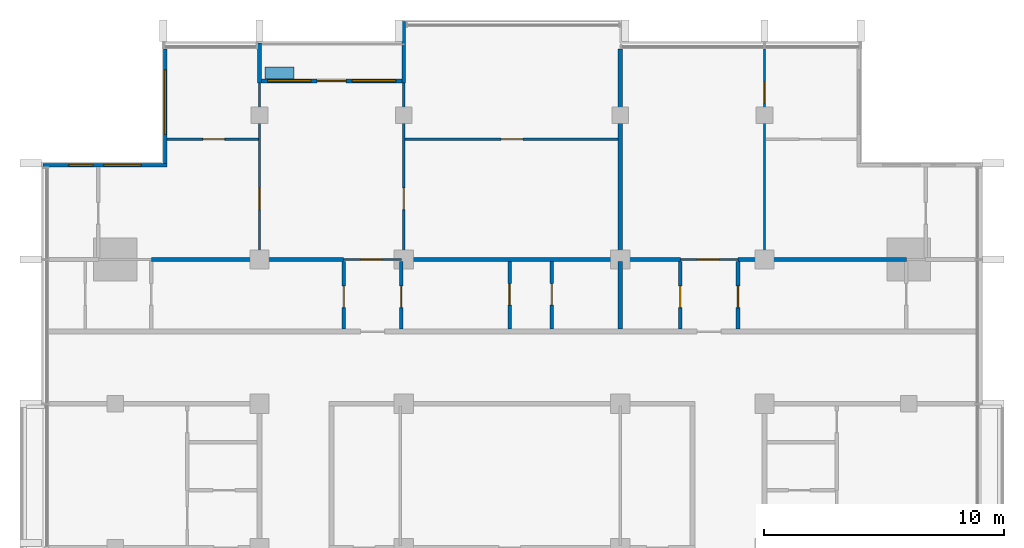
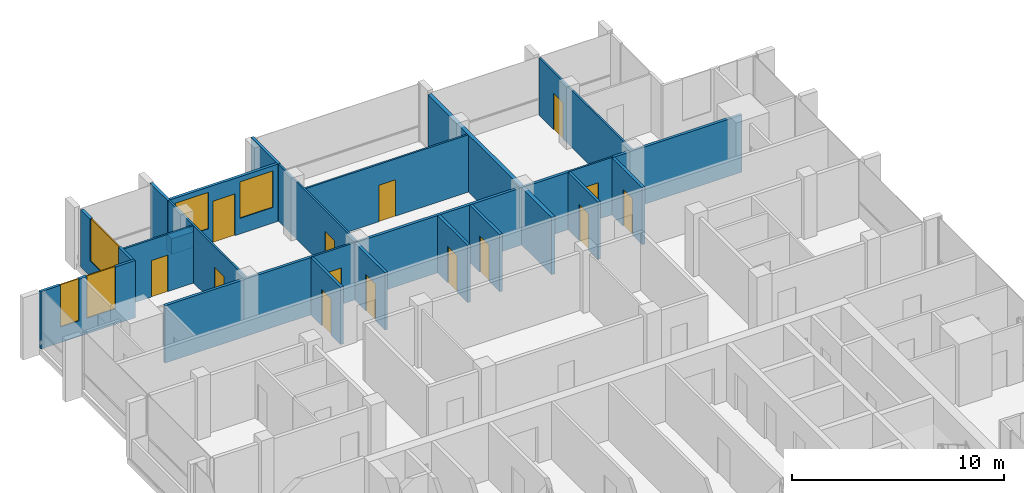
# One storey, part 10 of 16: 24 walls, 14 doors, 5 windows, 19 openings.
"""IFC4 building model written with IfcOpenShell, lengths in metres."""

from ifc_helpers import new_model, si_unit, direction, frame, frame_2d, origin, place, context, subcontext, project, spatial, rectangle, extrude, material, layer, layer_set, type_object, element, fill, save


model = new_model("IFC4")

# Units and contexts
model_context = context("Model", 3, precision=1e-05, world=origin(), true_north=direction((0.0, 1.0)))
body_context = subcontext(model_context, "Body", "Model", "MODEL_VIEW")
ifc_project = project(units=[si_unit("LENGTHUNIT", "METRE"), si_unit("AREAUNIT", "SQUARE_METRE"), si_unit("VOLUMEUNIT", "CUBIC_METRE"), si_unit("PLANEANGLEUNIT", "RADIAN"), si_unit("MASSUNIT", "GRAM", prefix="KILO")], contexts=[model_context])

# Site, building, storey
site_placement = place(None, origin())
site = spatial("IfcSite", under=ifc_project, at=site_placement, CompositionType="ELEMENT")
building_placement = place(site_placement, origin())
building = spatial("IfcBuilding", under=site, at=building_placement, Name="Finial Court Residences", CompositionType="ELEMENT")
storey_placement = place(building_placement, frame((0.0, 0.0, 277.10009765625)))
storey = spatial("IfcBuildingStorey", under=building, at=storey_placement, Name="L70", CompositionType="ELEMENT", Elevation=277.10009765625)

# Walls
ifc_material_1 = material(Name="Gypsum board")
ifc_layer_1 = layer(ifc_material_1, 0.02490234375)
ifc_material_2 = material(Name="Acoustic mineral wool in double frame")
ifc_layer_2 = layer(ifc_material_2, 0.14990234375)
ifc_layer_3 = layer(ifc_material_1, 0.02490234375)
ifc_layer_set_1 = layer_set([ifc_layer_1, ifc_layer_2, ifc_layer_3], Name="Acoustic party wall 200, 1 hour")
wall_type_1 = type_object("IfcWallType", Name="Acoustic party wall 200, 1 hour", PredefinedType="PARTITIONING", material=ifc_layer_set_1)
wall_1_placement = place(storey_placement, frame((4.5, 4.60009765625, 0.0), z_axis=(0.0, 0.0, 1.0), x_axis=(0.0, 1.0, 0.0)))
element("IfcWall", 1, at=wall_1_placement, inside=storey, type_object=wall_type_1, Name="Partition L70-045", PredefinedType="PARTITIONING", context=body_context, shape_type="SweptSolid", body=[
    extrude(rectangle(XDim=2.824951171875, YDim=0.199951171875, at=frame_2d((1.41259765625, 0.0))), origin(), (0.0, 0.0, 1.0), 3.2998046875),
])
wall_2_placement = place(storey_placement, frame((4.5, 7.574951171875, 0.0), z_axis=(0.0, 0.0, 1.0), x_axis=(0.0, 1.0, 0.0)))
element("IfcWall", 2, at=wall_2_placement, inside=storey, type_object=wall_type_1, Name="Partition L70-046", PredefinedType="PARTITIONING", context=body_context, shape_type="SweptSolid", body=[
    extrude(rectangle(XDim=8.6875, YDim=0.199951171875, at=frame_2d((4.34375, 0.0))), origin(), (0.0, 0.0, 1.0), 3.2998046875),
])

# Wall, opening, door
ifc_layer_4 = layer(ifc_material_1, 0.012451171875)
ifc_material_3 = material(Name="Mineral wool in light-gauge frame")
ifc_layer_5 = layer(ifc_material_3, 0.074951171875)
ifc_layer_6 = layer(ifc_material_1, 0.012451171875)
ifc_layer_set_2 = layer_set([ifc_layer_4, ifc_layer_5, ifc_layer_6], Name="Gypsum board partition 100")
wall_type_2 = type_object("IfcWallType", Name="Gypsum board partition 100", PredefinedType="PARTITIONING", material=ifc_layer_set_2)
wall_3_placement = place(storey_placement, frame((-7.0, 7.5, 0.0), z_axis=(0.0, 0.0, 1.0), x_axis=(1.0, 0.0, 0.0)))
wall_3 = element("IfcWall", 3, at=wall_3_placement, inside=storey, type_object=wall_type_2, Name="Partition L70-018", PredefinedType="PARTITIONING", context=body_context, shape_type="SweptSolid", body=[
    extrude(rectangle(XDim=2.39990234375, YDim=0.10009765625, at=frame_2d((1.199951171875, 0.0))), origin(), (0.0, 0.0, 1.0), 3.2998046875),
])
opening_1_placement = place(wall_3_placement, frame((0.699951171875, 0.0, 0.0)))
opening_1 = element("IfcOpeningElement", 4, at=opening_1_placement, cuts=wall_3, Name="Opening L70-D018", PredefinedType="OPENING", context=body_context, shape_type="SweptSolid", body=[
    extrude(rectangle(XDim=0.89990234375, YDim=2.10009765625, at=frame_2d((0.449951171875, 1.050048828125))), frame((0.0, 0.06005859375, 0.0), z_axis=(0.0, -1.0, 0.0), x_axis=(1.0, 0.0, 0.0)), (0.0, 0.0, 1.0), 0.1201171875),
])
ifc_material_4 = material(Name="Timber door leaf in timber frame", Category="wood")
door_type_1 = type_object("IfcDoorType", Name="Door set 900 x 2100", OperationType="SINGLE_SWING_LEFT", PredefinedType="DOOR", material=ifc_material_4)
door_1_placement = place(opening_1_placement, origin())
door_1 = element("IfcDoor", 5, at=door_1_placement, inside=storey, type_object=door_type_1, Name="Door L70-D018", OperationType="SINGLE_SWING_LEFT", OverallHeight=2.10009765625, OverallWidth=0.89990234375, PredefinedType="DOOR", context=body_context, shape_type="SweptSolid", body=[
    extrude(rectangle(XDim=0.89990234375, YDim=2.10009765625, at=frame_2d((0.449951171875, 1.050048828125))), frame((0.0, 0.02490234375, 0.0), z_axis=(0.0, -1.0, 0.0), x_axis=(1.0, 0.0, 0.0)), (0.0, 0.0, 1.0), 0.050048828125),
])
fill(opening_1, door_1)

wall_4_placement = place(storey_placement, frame((7.0, 7.5, 0.0), z_axis=(0.0, 0.0, 1.0), x_axis=(1.0, 0.0, 0.0)))
wall_4 = element("IfcWall", 6, at=wall_4_placement, inside=storey, type_object=wall_type_2, Name="Partition L70-019", PredefinedType="PARTITIONING", context=body_context, shape_type="SweptSolid", body=[
    extrude(rectangle(XDim=2.39990234375, YDim=0.10009765625, at=frame_2d((1.199951171875, 0.0))), origin(), (0.0, 0.0, 1.0), 3.2998046875),
])
opening_2_placement = place(wall_4_placement, frame((0.699951171875, 0.0, 0.0)))
opening_2 = element("IfcOpeningElement", 7, at=opening_2_placement, cuts=wall_4, Name="Opening L70-D019", PredefinedType="OPENING", context=body_context, shape_type="SweptSolid", body=[
    extrude(rectangle(XDim=0.89990234375, YDim=2.10009765625, at=frame_2d((0.449951171875, 1.050048828125))), frame((0.0, 0.06005859375, 0.0), z_axis=(0.0, -1.0, 0.0), x_axis=(1.0, 0.0, 0.0)), (0.0, 0.0, 1.0), 0.1201171875),
])
door_2_placement = place(opening_2_placement, origin())
door_2 = element("IfcDoor", 8, at=door_2_placement, inside=storey, type_object=door_type_1, Name="Door L70-D019", OperationType="SINGLE_SWING_LEFT", OverallHeight=2.10009765625, OverallWidth=0.89990234375, PredefinedType="DOOR", context=body_context, shape_type="SweptSolid", body=[
    extrude(rectangle(XDim=0.89990234375, YDim=2.10009765625, at=frame_2d((0.449951171875, 1.050048828125))), frame((0.0, 0.02490234375, 0.0), z_axis=(0.0, -1.0, 0.0), x_axis=(1.0, 0.0, 0.0)), (0.0, 0.0, 1.0), 0.050048828125),
])
fill(opening_2, door_2)

wall_5_placement = place(storey_placement, frame((-14.35009765625, 12.5, 0.0), z_axis=(0.0, 0.0, 1.0), x_axis=(1.0, 0.0, 0.0)))
wall_5 = element("IfcWall", 9, at=wall_5_placement, inside=storey, type_object=wall_type_2, Name="Partition L70-026", PredefinedType="PARTITIONING", context=body_context, shape_type="SweptSolid", body=[
    extrude(rectangle(XDim=3.800048828125, YDim=0.10009765625, at=frame_2d((1.89990234375, 0.0))), origin(), (0.0, 0.0, 1.0), 3.2998046875),
])
opening_3_placement = place(wall_5_placement, frame((1.5, 0.0, 0.0)))
opening_3 = element("IfcOpeningElement", 10, at=opening_3_placement, cuts=wall_5, Name="Opening L70-D020", PredefinedType="OPENING", context=body_context, shape_type="SweptSolid", body=[
    extrude(rectangle(XDim=0.89990234375, YDim=2.10009765625, at=frame_2d((0.449951171875, 1.050048828125))), frame((0.0, 0.06005859375, 0.0), z_axis=(0.0, -1.0, 0.0), x_axis=(1.0, 0.0, 0.0)), (0.0, 0.0, 1.0), 0.1201171875),
])
door_3_placement = place(opening_3_placement, origin())
door_3 = element("IfcDoor", 11, at=door_3_placement, inside=storey, type_object=door_type_1, Name="Door L70-D020", OperationType="SINGLE_SWING_LEFT", OverallHeight=2.10009765625, OverallWidth=0.89990234375, PredefinedType="DOOR", context=body_context, shape_type="SweptSolid", body=[
    extrude(rectangle(XDim=0.89990234375, YDim=2.10009765625, at=frame_2d((0.449951171875, 1.050048828125))), frame((0.0, 0.02490234375, 0.0), z_axis=(0.0, -1.0, 0.0), x_axis=(1.0, 0.0, 0.0)), (0.0, 0.0, 1.0), 0.050048828125),
])
fill(opening_3, door_3)

wall_6_placement = place(storey_placement, frame((-4.449951171875, 12.5, 0.0), z_axis=(0.0, 0.0, 1.0), x_axis=(1.0, 0.0, 0.0)))
wall_6 = element("IfcWall", 12, at=wall_6_placement, inside=storey, type_object=wall_type_2, Name="Partition L70-027", PredefinedType="PARTITIONING", context=body_context, shape_type="SweptSolid", body=[
    extrude(rectangle(XDim=8.849853515625, YDim=0.10009765625, at=frame_2d((4.4248046875, 0.0))), origin(), (0.0, 0.0, 1.0), 3.2998046875),
])
opening_4_placement = place(wall_6_placement, frame((4.0, 0.0, 0.0)))
opening_4 = element("IfcOpeningElement", 13, at=opening_4_placement, cuts=wall_6, Name="Opening L70-D021", PredefinedType="OPENING", context=body_context, shape_type="SweptSolid", body=[
    extrude(rectangle(XDim=0.89990234375, YDim=2.10009765625, at=frame_2d((0.449951171875, 1.050048828125))), frame((0.0, 0.06005859375, 0.0), z_axis=(0.0, -1.0, 0.0), x_axis=(1.0, 0.0, 0.0)), (0.0, 0.0, 1.0), 0.1201171875),
])
door_4_placement = place(opening_4_placement, origin())
door_4 = element("IfcDoor", 14, at=door_4_placement, inside=storey, type_object=door_type_1, Name="Door L70-D021", OperationType="SINGLE_SWING_LEFT", OverallHeight=2.10009765625, OverallWidth=0.89990234375, PredefinedType="DOOR", context=body_context, shape_type="SweptSolid", body=[
    extrude(rectangle(XDim=0.89990234375, YDim=2.10009765625, at=frame_2d((0.449951171875, 1.050048828125))), frame((0.0, 0.02490234375, 0.0), z_axis=(0.0, -1.0, 0.0), x_axis=(1.0, 0.0, 0.0)), (0.0, 0.0, 1.0), 0.050048828125),
])
fill(opening_4, door_4)

wall_7_placement = place(storey_placement, frame((-10.5, 7.574951171875, 0.0), z_axis=(0.0, 0.0, 1.0), x_axis=(0.0, 1.0, 0.0)))
wall_7 = element("IfcWall", 15, at=wall_7_placement, inside=storey, type_object=wall_type_2, Name="Partition L70-036", PredefinedType="PARTITIONING", context=body_context, shape_type="SweptSolid", body=[
    extrude(rectangle(XDim=7.275146484375, YDim=0.10009765625, at=frame_2d((3.6376953125, 0.0))), origin(), (0.0, 0.0, 1.0), 3.2998046875),
])
opening_5_placement = place(wall_7_placement, frame((2.0, 0.0, 0.0)))
opening_5 = element("IfcOpeningElement", 16, at=opening_5_placement, cuts=wall_7, Name="Opening L70-D028", PredefinedType="OPENING", context=body_context, shape_type="SweptSolid", body=[
    extrude(rectangle(XDim=0.89990234375, YDim=2.10009765625, at=frame_2d((0.449951171875, 1.050048828125))), frame((0.0, 0.06005859375, 0.0), z_axis=(0.0, -1.0, 0.0), x_axis=(1.0, 0.0, 0.0)), (0.0, 0.0, 1.0), 0.1201171875),
])
door_5_placement = place(opening_5_placement, origin())
door_5 = element("IfcDoor", 17, at=door_5_placement, inside=storey, type_object=door_type_1, Name="Door L70-D028", OperationType="SINGLE_SWING_RIGHT", OverallHeight=2.10009765625, OverallWidth=0.89990234375, PredefinedType="DOOR", context=body_context, shape_type="SweptSolid", body=[
    extrude(rectangle(XDim=0.89990234375, YDim=2.10009765625, at=frame_2d((0.449951171875, 1.050048828125))), frame((0.0, 0.02490234375, 0.0), z_axis=(0.0, -1.0, 0.0), x_axis=(1.0, 0.0, 0.0)), (0.0, 0.0, 1.0), 0.050048828125),
])
fill(opening_5, door_5)

wall_8_placement = place(storey_placement, frame((-4.5, 7.574951171875, 0.0), z_axis=(0.0, 0.0, 1.0), x_axis=(0.0, 1.0, 0.0)))
wall_8 = element("IfcWall", 18, at=wall_8_placement, inside=storey, type_object=wall_type_2, Name="Partition L70-041", PredefinedType="PARTITIONING", context=body_context, shape_type="SweptSolid", body=[
    extrude(rectangle(XDim=7.275146484375, YDim=0.10009765625, at=frame_2d((3.6376953125, 0.0))), origin(), (0.0, 0.0, 1.0), 3.2998046875),
])
opening_6_placement = place(wall_8_placement, frame((2.0, 0.0, 0.0)))
opening_6 = element("IfcOpeningElement", 19, at=opening_6_placement, cuts=wall_8, Name="Opening L70-D031", PredefinedType="OPENING", context=body_context, shape_type="SweptSolid", body=[
    extrude(rectangle(XDim=0.89990234375, YDim=2.10009765625, at=frame_2d((0.449951171875, 1.050048828125))), frame((0.0, 0.06005859375, 0.0), z_axis=(0.0, -1.0, 0.0), x_axis=(1.0, 0.0, 0.0)), (0.0, 0.0, 1.0), 0.1201171875),
])
door_6_placement = place(opening_6_placement, origin())
door_6 = element("IfcDoor", 20, at=door_6_placement, inside=storey, type_object=door_type_1, Name="Door L70-D031", OperationType="SINGLE_SWING_LEFT", OverallHeight=2.10009765625, OverallWidth=0.89990234375, PredefinedType="DOOR", context=body_context, shape_type="SweptSolid", body=[
    extrude(rectangle(XDim=0.89990234375, YDim=2.10009765625, at=frame_2d((0.449951171875, 1.050048828125))), frame((0.0, 0.02490234375, 0.0), z_axis=(0.0, -1.0, 0.0), x_axis=(1.0, 0.0, 0.0)), (0.0, 0.0, 1.0), 0.050048828125),
])
fill(opening_6, door_6)

wall_9_placement = place(storey_placement, frame((10.5, 7.574951171875, 0.0), z_axis=(0.0, 0.0, 1.0), x_axis=(0.0, 1.0, 0.0)))
wall_9 = element("IfcWall", 21, at=wall_9_placement, inside=storey, type_object=wall_type_2, Name="Partition L70-051", PredefinedType="PARTITIONING", context=body_context, shape_type="SweptSolid", body=[
    extrude(rectangle(XDim=8.6875, YDim=0.10009765625, at=frame_2d((4.34375, 0.0))), origin(), (0.0, 0.0, 1.0), 3.2998046875),
])
opening_7_placement = place(wall_9_placement, frame((6.425048828125, 0.0, 0.0)))
opening_7 = element("IfcOpeningElement", 22, at=opening_7_placement, cuts=wall_9, Name="Opening L70-D036", PredefinedType="OPENING", context=body_context, shape_type="SweptSolid", body=[
    extrude(rectangle(XDim=0.89990234375, YDim=2.10009765625, at=frame_2d((0.449951171875, 1.050048828125))), frame((0.0, 0.06005859375, 0.0), z_axis=(0.0, -1.0, 0.0), x_axis=(1.0, 0.0, 0.0)), (0.0, 0.0, 1.0), 0.1201171875),
])
door_7_placement = place(opening_7_placement, origin())
door_7 = element("IfcDoor", 23, at=door_7_placement, inside=storey, type_object=door_type_1, Name="Door L70-D036", OperationType="SINGLE_SWING_RIGHT", OverallHeight=2.10009765625, OverallWidth=0.89990234375, PredefinedType="DOOR", context=body_context, shape_type="SweptSolid", body=[
    extrude(rectangle(XDim=0.89990234375, YDim=2.10009765625, at=frame_2d((0.449951171875, 1.050048828125))), frame((0.0, 0.02490234375, 0.0), z_axis=(0.0, -1.0, 0.0), x_axis=(1.0, 0.0, 0.0)), (0.0, 0.0, 1.0), 0.050048828125),
])
fill(opening_7, door_7)

# Walls
ifc_material_5 = material(Name="Moisture-resistant gypsum board")
ifc_layer_7 = layer(ifc_material_5, 0.012451171875)
ifc_layer_8 = layer(ifc_material_3, 0.125)
ifc_layer_9 = layer(ifc_material_5, 0.012451171875)
ifc_layer_set_3 = layer_set([ifc_layer_7, ifc_layer_8, ifc_layer_9], Name="Gypsum board wet-area partition 150")
wall_type_3 = type_object("IfcWallType", Name="Gypsum board wet-area partition 150", PredefinedType="PARTITIONING", material=ifc_layer_set_3)
wall_10_placement = place(storey_placement, frame((-15.0, 7.5, 0.0), z_axis=(0.0, 0.0, 1.0), x_axis=(1.0, 0.0, 0.0)))
element("IfcWall", 24, at=wall_10_placement, inside=storey, type_object=wall_type_3, Name="Partition L70-022", PredefinedType="PARTITIONING", context=body_context, shape_type="SweptSolid", body=[
    extrude(rectangle(XDim=8.0, YDim=0.14990234375, at=frame_2d((4.0, 0.0))), origin(), (0.0, 0.0, 1.0), 3.2998046875),
])
wall_11_placement = place(storey_placement, frame((-4.5, 7.5, 0.0), z_axis=(0.0, 0.0, 1.0), x_axis=(1.0, 0.0, 0.0)))
element("IfcWall", 25, at=wall_11_placement, inside=storey, type_object=wall_type_3, Name="Partition L70-023", PredefinedType="PARTITIONING", context=body_context, shape_type="SweptSolid", body=[
    extrude(rectangle(XDim=11.5, YDim=0.14990234375, at=frame_2d((5.75, 0.0))), origin(), (0.0, 0.0, 1.0), 3.2998046875),
])
wall_12_placement = place(storey_placement, frame((9.39990234375, 7.5, 0.0), z_axis=(0.0, 0.0, 1.0), x_axis=(1.0, 0.0, 0.0)))
element("IfcWall", 26, at=wall_12_placement, inside=storey, type_object=wall_type_3, Name="Partition L70-024", PredefinedType="PARTITIONING", context=body_context, shape_type="SweptSolid", body=[
    extrude(rectangle(XDim=7.0, YDim=0.14990234375, at=frame_2d((3.5, 0.0))), origin(), (0.0, 0.0, 1.0), 3.2998046875),
])

# Wall, opening, door
wall_13_placement = place(storey_placement, frame((-7.0, 4.60009765625, 0.0), z_axis=(0.0, 0.0, 1.0), x_axis=(0.0, 1.0, 0.0)))
wall_13 = element("IfcWall", 27, at=wall_13_placement, inside=storey, type_object=wall_type_3, Name="Partition L70-038", PredefinedType="PARTITIONING", context=body_context, shape_type="SweptSolid", body=[
    extrude(rectangle(XDim=2.824951171875, YDim=0.14990234375, at=frame_2d((1.41259765625, 0.0))), origin(), (0.0, 0.0, 1.0), 3.2998046875),
])
opening_8_placement = place(wall_13_placement, frame((0.89990234375, 0.0, 0.0)))
opening_8 = element("IfcOpeningElement", 28, at=opening_8_placement, cuts=wall_13, Name="Opening L70-D029", PredefinedType="OPENING", context=body_context, shape_type="SweptSolid", body=[
    extrude(rectangle(XDim=0.89990234375, YDim=2.10009765625, at=frame_2d((0.449951171875, 1.050048828125))), frame((0.0, 0.0849609375, 0.0), z_axis=(0.0, -1.0, 0.0), x_axis=(1.0, 0.0, 0.0)), (0.0, 0.0, 1.0), 0.169921875),
])
door_8_placement = place(opening_8_placement, origin())
door_8 = element("IfcDoor", 29, at=door_8_placement, inside=storey, type_object=door_type_1, Name="Door L70-D029", OperationType="SINGLE_SWING_RIGHT", OverallHeight=2.10009765625, OverallWidth=0.89990234375, PredefinedType="DOOR", context=body_context, shape_type="SweptSolid", body=[
    extrude(rectangle(XDim=0.89990234375, YDim=2.10009765625, at=frame_2d((0.449951171875, 1.050048828125))), frame((0.0, 0.02490234375, 0.0), z_axis=(0.0, -1.0, 0.0), x_axis=(1.0, 0.0, 0.0)), (0.0, 0.0, 1.0), 0.050048828125),
])
fill(opening_8, door_8)

wall_14_placement = place(storey_placement, frame((-4.60009765625, 4.60009765625, 0.0), z_axis=(0.0, 0.0, 1.0), x_axis=(0.0, 1.0, 0.0)))
wall_14 = element("IfcWall", 30, at=wall_14_placement, inside=storey, type_object=wall_type_3, Name="Partition L70-040", PredefinedType="PARTITIONING", context=body_context, shape_type="SweptSolid", body=[
    extrude(rectangle(XDim=2.824951171875, YDim=0.14990234375, at=frame_2d((1.41259765625, 0.0))), origin(), (0.0, 0.0, 1.0), 3.2998046875),
])
opening_9_placement = place(wall_14_placement, frame((0.89990234375, 0.0, 0.0)))
opening_9 = element("IfcOpeningElement", 31, at=opening_9_placement, cuts=wall_14, Name="Opening L70-D030", PredefinedType="OPENING", context=body_context, shape_type="SweptSolid", body=[
    extrude(rectangle(XDim=0.89990234375, YDim=2.10009765625, at=frame_2d((0.449951171875, 1.050048828125))), frame((0.0, 0.0849609375, 0.0), z_axis=(0.0, -1.0, 0.0), x_axis=(1.0, 0.0, 0.0)), (0.0, 0.0, 1.0), 0.169921875),
])
door_9_placement = place(opening_9_placement, origin())
door_9 = element("IfcDoor", 32, at=door_9_placement, inside=storey, type_object=door_type_1, Name="Door L70-D030", OperationType="SINGLE_SWING_RIGHT", OverallHeight=2.10009765625, OverallWidth=0.89990234375, PredefinedType="DOOR", context=body_context, shape_type="SweptSolid", body=[
    extrude(rectangle(XDim=0.89990234375, YDim=2.10009765625, at=frame_2d((0.449951171875, 1.050048828125))), frame((0.0, 0.02490234375, 0.0), z_axis=(0.0, -1.0, 0.0), x_axis=(1.0, 0.0, 0.0)), (0.0, 0.0, 1.0), 0.050048828125),
])
fill(opening_9, door_9)

wall_15_placement = place(storey_placement, frame((-0.10009765625, 4.60009765625, 0.0), z_axis=(0.0, 0.0, 1.0), x_axis=(0.0, 1.0, 0.0)))
wall_15 = element("IfcWall", 33, at=wall_15_placement, inside=storey, type_object=wall_type_3, Name="Partition L70-042", PredefinedType="PARTITIONING", context=body_context, shape_type="SweptSolid", body=[
    extrude(rectangle(XDim=2.824951171875, YDim=0.14990234375, at=frame_2d((1.41259765625, 0.0))), origin(), (0.0, 0.0, 1.0), 3.2998046875),
])
opening_10_placement = place(wall_15_placement, frame((1.0, 0.0, 0.0)))
opening_10 = element("IfcOpeningElement", 34, at=opening_10_placement, cuts=wall_15, Name="Opening L70-D032", PredefinedType="OPENING", context=body_context, shape_type="SweptSolid", body=[
    extrude(rectangle(XDim=0.89990234375, YDim=2.10009765625, at=frame_2d((0.449951171875, 1.050048828125))), frame((0.0, 0.0849609375, 0.0), z_axis=(0.0, -1.0, 0.0), x_axis=(1.0, 0.0, 0.0)), (0.0, 0.0, 1.0), 0.169921875),
])
door_10_placement = place(opening_10_placement, origin())
door_10 = element("IfcDoor", 35, at=door_10_placement, inside=storey, type_object=door_type_1, Name="Door L70-D032", OperationType="SINGLE_SWING_RIGHT", OverallHeight=2.10009765625, OverallWidth=0.89990234375, PredefinedType="DOOR", context=body_context, shape_type="SweptSolid", body=[
    extrude(rectangle(XDim=0.89990234375, YDim=2.10009765625, at=frame_2d((0.449951171875, 1.050048828125))), frame((0.0, 0.02490234375, 0.0), z_axis=(0.0, -1.0, 0.0), x_axis=(1.0, 0.0, 0.0)), (0.0, 0.0, 1.0), 0.050048828125),
])
fill(opening_10, door_10)

wall_16_placement = place(storey_placement, frame((1.64990234375, 4.60009765625, 0.0), z_axis=(0.0, 0.0, 1.0), x_axis=(0.0, 1.0, 0.0)))
wall_16 = element("IfcWall", 36, at=wall_16_placement, inside=storey, type_object=wall_type_3, Name="Partition L70-043", PredefinedType="PARTITIONING", context=body_context, shape_type="SweptSolid", body=[
    extrude(rectangle(XDim=2.824951171875, YDim=0.14990234375, at=frame_2d((1.41259765625, 0.0))), origin(), (0.0, 0.0, 1.0), 3.2998046875),
])
opening_11_placement = place(wall_16_placement, frame((1.0, 0.0, 0.0)))
opening_11 = element("IfcOpeningElement", 37, at=opening_11_placement, cuts=wall_16, Name="Opening L70-D033", PredefinedType="OPENING", context=body_context, shape_type="SweptSolid", body=[
    extrude(rectangle(XDim=0.89990234375, YDim=2.10009765625, at=frame_2d((0.449951171875, 1.050048828125))), frame((0.0, 0.0849609375, 0.0), z_axis=(0.0, -1.0, 0.0), x_axis=(1.0, 0.0, 0.0)), (0.0, 0.0, 1.0), 0.169921875),
])
door_11_placement = place(opening_11_placement, origin())
door_11 = element("IfcDoor", 38, at=door_11_placement, inside=storey, type_object=door_type_1, Name="Door L70-D033", OperationType="SINGLE_SWING_LEFT", OverallHeight=2.10009765625, OverallWidth=0.89990234375, PredefinedType="DOOR", context=body_context, shape_type="SweptSolid", body=[
    extrude(rectangle(XDim=0.89990234375, YDim=2.10009765625, at=frame_2d((0.449951171875, 1.050048828125))), frame((0.0, 0.02490234375, 0.0), z_axis=(0.0, -1.0, 0.0), x_axis=(1.0, 0.0, 0.0)), (0.0, 0.0, 1.0), 0.050048828125),
])
fill(opening_11, door_11)

wall_17_placement = place(storey_placement, frame((7.0, 4.60009765625, 0.0), z_axis=(0.0, 0.0, 1.0), x_axis=(0.0, 1.0, 0.0)))
wall_17 = element("IfcWall", 39, at=wall_17_placement, inside=storey, type_object=wall_type_3, Name="Partition L70-047", PredefinedType="PARTITIONING", context=body_context, shape_type="SweptSolid", body=[
    extrude(rectangle(XDim=2.824951171875, YDim=0.14990234375, at=frame_2d((1.41259765625, 0.0))), origin(), (0.0, 0.0, 1.0), 3.2998046875),
])
opening_12_placement = place(wall_17_placement, frame((0.89990234375, 0.0, 0.0)))
opening_12 = element("IfcOpeningElement", 40, at=opening_12_placement, cuts=wall_17, Name="Opening L70-D034", PredefinedType="OPENING", context=body_context, shape_type="SweptSolid", body=[
    extrude(rectangle(XDim=0.89990234375, YDim=2.10009765625, at=frame_2d((0.449951171875, 1.050048828125))), frame((0.0, 0.0849609375, 0.0), z_axis=(0.0, -1.0, 0.0), x_axis=(1.0, 0.0, 0.0)), (0.0, 0.0, 1.0), 0.169921875),
])
door_12_placement = place(opening_12_placement, origin())
door_12 = element("IfcDoor", 41, at=door_12_placement, inside=storey, type_object=door_type_1, Name="Door L70-D034", OperationType="SINGLE_SWING_LEFT", OverallHeight=2.10009765625, OverallWidth=0.89990234375, PredefinedType="DOOR", context=body_context, shape_type="SweptSolid", body=[
    extrude(rectangle(XDim=0.89990234375, YDim=2.10009765625, at=frame_2d((0.449951171875, 1.050048828125))), frame((0.0, 0.02490234375, 0.0), z_axis=(0.0, -1.0, 0.0), x_axis=(1.0, 0.0, 0.0)), (0.0, 0.0, 1.0), 0.050048828125),
])
fill(opening_12, door_12)

wall_18_placement = place(storey_placement, frame((9.39990234375, 4.60009765625, 0.0), z_axis=(0.0, 0.0, 1.0), x_axis=(0.0, 1.0, 0.0)))
wall_18 = element("IfcWall", 42, at=wall_18_placement, inside=storey, type_object=wall_type_3, Name="Partition L70-049", PredefinedType="PARTITIONING", context=body_context, shape_type="SweptSolid", body=[
    extrude(rectangle(XDim=2.824951171875, YDim=0.14990234375, at=frame_2d((1.41259765625, 0.0))), origin(), (0.0, 0.0, 1.0), 3.2998046875),
])
opening_13_placement = place(wall_18_placement, frame((0.89990234375, 0.0, 0.0)))
opening_13 = element("IfcOpeningElement", 43, at=opening_13_placement, cuts=wall_18, Name="Opening L70-D035", PredefinedType="OPENING", context=body_context, shape_type="SweptSolid", body=[
    extrude(rectangle(XDim=0.89990234375, YDim=2.10009765625, at=frame_2d((0.449951171875, 1.050048828125))), frame((0.0, 0.0849609375, 0.0), z_axis=(0.0, -1.0, 0.0), x_axis=(1.0, 0.0, 0.0)), (0.0, 0.0, 1.0), 0.169921875),
])
door_13_placement = place(opening_13_placement, origin())
door_13 = element("IfcDoor", 44, at=door_13_placement, inside=storey, type_object=door_type_1, Name="Door L70-D035", OperationType="SINGLE_SWING_LEFT", OverallHeight=2.10009765625, OverallWidth=0.89990234375, PredefinedType="DOOR", context=body_context, shape_type="SweptSolid", body=[
    extrude(rectangle(XDim=0.89990234375, YDim=2.10009765625, at=frame_2d((0.449951171875, 1.050048828125))), frame((0.0, 0.02490234375, 0.0), z_axis=(0.0, -1.0, 0.0), x_axis=(1.0, 0.0, 0.0)), (0.0, 0.0, 1.0), 0.050048828125),
])
fill(opening_13, door_13)

# Wall, opening, window
ifc_material_6 = material(Name="Natural limestone", Category="masonry")
ifc_layer_10 = layer(ifc_material_6, 0.14990234375)
ifc_layer_set_4 = layer_set([ifc_layer_10], Name="Limestone clad wall 150")
wall_type_4 = type_object("IfcWallType", Name="Limestone clad wall 150", PredefinedType="SOLIDWALL", material=ifc_layer_set_4)
wall_19_placement = place(storey_placement, frame((-14.425048828125, 11.5, 0.0), z_axis=(0.0, 0.0, 1.0), x_axis=(0.0, 1.0, 0.0)))
wall_19 = element("IfcWall", 45, at=wall_19_placement, inside=storey, type_object=wall_type_4, Name="E-L70-NWW16", PredefinedType="SOLIDWALL", context=body_context, shape_type="SweptSolid", body=[
    extrude(rectangle(XDim=4.762451171875, YDim=0.14990234375, at=frame_2d((2.38134765625, 0.0))), origin(), (0.0, 0.0, 1.0), 3.2998046875),
])
opening_14_placement = place(wall_19_placement, frame((1.2001953125, 0.0, 0.89990234375)))
opening_14 = element("IfcOpeningElement", 46, at=opening_14_placement, cuts=wall_19, Name="Opening WE70-05", PredefinedType="OPENING", context=body_context, shape_type="SweptSolid", body=[
    extrude(rectangle(XDim=2.680908203125, YDim=2.39990234375, at=frame_2d((1.34033203125, 1.199951171875))), frame((0.0, 0.0849609375, 0.0), z_axis=(0.0, -1.0, 0.0), x_axis=(1.0, 0.0, 0.0)), (0.0, 0.0, 1.0), 0.169921875),
])
ifc_material_7 = material(Name="Clear low-e glass", Category="glass")
window_type_1 = type_object("IfcWindowType", Name="Corner window 2681 x 2400", PartitioningType="SINGLE_PANEL", PredefinedType="WINDOW", material=ifc_material_7)
window_1_placement = place(opening_14_placement, origin())
window_1 = element("IfcWindow", 47, at=window_1_placement, inside=storey, type_object=window_type_1, Name="E-L70-NWW16-W1", OverallHeight=2.39990234375, OverallWidth=2.680908203125, PartitioningType="SINGLE_PANEL", PredefinedType="WINDOW", context=body_context, shape_type="SweptSolid", body=[
    extrude(rectangle(XDim=2.680908203125, YDim=2.39990234375, at=frame_2d((1.34033203125, 1.199951171875))), frame((0.0, 0.030029296875, 0.0), z_axis=(0.0, -1.0, 0.0), x_axis=(1.0, 0.0, 0.0)), (0.0, 0.0, 1.0), 0.06005859375),
])
fill(opening_14, window_1)

# Wall, openings, windows
wall_20_placement = place(storey_placement, frame((-19.5, 11.425048828125, 0.0), z_axis=(0.0, 0.0, 1.0), x_axis=(1.0, 0.0, 0.0)))
wall_20 = element("IfcWall", 48, at=wall_20_placement, inside=storey, type_object=wall_type_4, Name="E-L70-NWN17", PredefinedType="SOLIDWALL", context=body_context, shape_type="SweptSolid", body=[
    extrude(rectangle(XDim=5.14990234375, YDim=0.14990234375, at=frame_2d((2.574951171875, 0.0))), origin(), (0.0, 0.0, 1.0), 3.2998046875),
])
opening_15_placement = place(wall_20_placement, frame((1.074951171875, 0.0, 0.89990234375)))
opening_15 = element("IfcOpeningElement", 49, at=opening_15_placement, cuts=wall_20, Name="Opening WE70-06", PredefinedType="OPENING", context=body_context, shape_type="SweptSolid", body=[
    extrude(rectangle(XDim=1.0, YDim=2.39990234375, at=frame_2d((0.5, 1.199951171875))), frame((0.0, 0.0849609375, 0.0), z_axis=(0.0, -1.0, 0.0), x_axis=(1.0, 0.0, 0.0)), (0.0, 0.0, 1.0), 0.169921875),
])
opening_16_placement = place(wall_20_placement, frame((2.52490234375, 0.0, 0.89990234375)))
opening_16 = element("IfcOpeningElement", 50, at=opening_16_placement, cuts=wall_20, Name="Opening WE70-07", PredefinedType="OPENING", context=body_context, shape_type="SweptSolid", body=[
    extrude(rectangle(XDim=1.550048828125, YDim=2.39990234375, at=frame_2d((0.77490234375, 1.199951171875))), frame((0.0, 0.0849609375, 0.0), z_axis=(0.0, -1.0, 0.0), x_axis=(1.0, 0.0, 0.0)), (0.0, 0.0, 1.0), 0.169921875),
])
window_type_2 = type_object("IfcWindowType", Name="Corner window 1000 x 2400", PartitioningType="SINGLE_PANEL", PredefinedType="WINDOW", material=ifc_material_7)
window_2_placement = place(opening_15_placement, origin())
window_2 = element("IfcWindow", 51, at=window_2_placement, inside=storey, type_object=window_type_2, Name="E-L70-NWN17-W1", OverallHeight=2.39990234375, OverallWidth=1.0, PartitioningType="SINGLE_PANEL", PredefinedType="WINDOW", context=body_context, shape_type="SweptSolid", body=[
    extrude(rectangle(XDim=1.0, YDim=2.39990234375, at=frame_2d((0.5, 1.199951171875))), frame((0.0, 0.030029296875, 0.0), z_axis=(0.0, -1.0, 0.0), x_axis=(1.0, 0.0, 0.0)), (0.0, 0.0, 1.0), 0.06005859375),
])
fill(opening_15, window_2)
window_type_3 = type_object("IfcWindowType", Name="Corner window 1550 x 2400", PartitioningType="SINGLE_PANEL", PredefinedType="WINDOW", material=ifc_material_7)
window_3_placement = place(opening_16_placement, origin())
window_3 = element("IfcWindow", 52, at=window_3_placement, inside=storey, type_object=window_type_3, Name="E-L70-NWN17-W2", OverallHeight=2.39990234375, OverallWidth=1.550048828125, PartitioningType="SINGLE_PANEL", PredefinedType="WINDOW", context=body_context, shape_type="SweptSolid", body=[
    extrude(rectangle(XDim=1.550048828125, YDim=2.39990234375, at=frame_2d((0.77490234375, 1.199951171875))), frame((0.0, 0.030029296875, 0.0), z_axis=(0.0, -1.0, 0.0), x_axis=(1.0, 0.0, 0.0)), (0.0, 0.0, 1.0), 0.06005859375),
])
fill(opening_16, window_3)

# Walls
wall_21_placement = place(storey_placement, frame((-10.5, 14.85009765625, 0.0), z_axis=(0.0, 0.0, 1.0), x_axis=(0.0, 1.0, 0.0)))
element("IfcWall", 53, at=wall_21_placement, inside=storey, type_object=wall_type_4, Name="E-L70-BALN2-P1", PredefinedType="SOLIDWALL", context=body_context, shape_type="SweptSolid", body=[
    extrude(rectangle(XDim=1.64990234375, YDim=0.14990234375, at=frame_2d((0.824951171875, 0.0))), origin(), (0.0, 0.0, 1.0), 3.2998046875),
])
wall_22_placement = place(storey_placement, frame((-4.5, 14.85009765625, 0.0), z_axis=(0.0, 0.0, 1.0), x_axis=(0.0, 1.0, 0.0)))
element("IfcWall", 54, at=wall_22_placement, inside=storey, type_object=wall_type_4, Name="E-L70-BALN2-P2", PredefinedType="SOLIDWALL", context=body_context, shape_type="SweptSolid", body=[
    extrude(rectangle(XDim=2.5498046875, YDim=0.14990234375, at=frame_2d((1.27490234375, 0.0))), origin(), (0.0, 0.0, 1.0), 3.2998046875),
])

# Wall, openings, door, windows
wall_23_placement = place(storey_placement, frame((-10.425048828125, 14.925048828125, 0.0), z_axis=(0.0, 0.0, 1.0), x_axis=(1.0, 0.0, 0.0)))
wall_23 = element("IfcWall", 55, at=wall_23_placement, inside=storey, type_object=wall_type_4, Name="E-L70-L70-BALN2-W", PredefinedType="SOLIDWALL", context=body_context, shape_type="SweptSolid", body=[
    extrude(rectangle(XDim=5.85009765625, YDim=0.14990234375, at=frame_2d((2.925048828125, 0.0))), origin(), (0.0, 0.0, 1.0), 3.2998046875),
])
opening_17_placement = place(wall_23_placement, frame((2.324951171875, 0.0, 0.0)))
opening_17 = element("IfcOpeningElement", 56, at=opening_17_placement, cuts=wall_23, Name="Opening DE70-01", PredefinedType="OPENING", context=body_context, shape_type="SweptSolid", body=[
    extrude(rectangle(XDim=1.199951171875, YDim=2.39990234375, at=frame_2d((0.60009765625, 1.199951171875))), frame((0.0, 0.0849609375, 0.0), z_axis=(0.0, -1.0, 0.0), x_axis=(1.0, 0.0, 0.0)), (0.0, 0.0, 1.0), 0.169921875),
])
opening_18_placement = place(wall_23_placement, frame((0.262451171875, 0.0, 0.89990234375)))
opening_18 = element("IfcOpeningElement", 57, at=opening_18_placement, cuts=wall_23, Name="Opening WE70-11", PredefinedType="OPENING", context=body_context, shape_type="SweptSolid", body=[
    extrude(rectangle(XDim=1.800048828125, YDim=2.10009765625, at=frame_2d((0.89990234375, 1.050048828125))), frame((0.0, 0.0849609375, 0.0), z_axis=(0.0, -1.0, 0.0), x_axis=(1.0, 0.0, 0.0)), (0.0, 0.0, 1.0), 0.169921875),
])
opening_19_placement = place(wall_23_placement, frame((3.78759765625, 0.0, 0.89990234375)))
opening_19 = element("IfcOpeningElement", 58, at=opening_19_placement, cuts=wall_23, Name="Opening WE70-12", PredefinedType="OPENING", context=body_context, shape_type="SweptSolid", body=[
    extrude(rectangle(XDim=1.800048828125, YDim=2.10009765625, at=frame_2d((0.89990234375, 1.050048828125))), frame((0.0, 0.0849609375, 0.0), z_axis=(0.0, -1.0, 0.0), x_axis=(1.0, 0.0, 0.0)), (0.0, 0.0, 1.0), 0.169921875),
])
ifc_material_8 = material(Name="Bronze anodised aluminium", Category="aluminium")
door_type_2 = type_object("IfcDoorType", Name="Balcony door 1200 x 2400", OperationType="SINGLE_SWING_LEFT", PredefinedType="DOOR", material=ifc_material_8)
door_14_placement = place(opening_17_placement, origin())
door_14 = element("IfcDoor", 59, at=door_14_placement, inside=storey, type_object=door_type_2, Name="E-L70-L70-BALN2-W-D", OperationType="SINGLE_SWING_LEFT", OverallHeight=2.39990234375, OverallWidth=1.199951171875, PredefinedType="DOOR", context=body_context, shape_type="SweptSolid", body=[
    extrude(rectangle(XDim=1.199951171875, YDim=2.39990234375, at=frame_2d((0.60009765625, 1.199951171875))), frame((0.0, 0.02490234375, 0.0), z_axis=(0.0, -1.0, 0.0), x_axis=(1.0, 0.0, 0.0)), (0.0, 0.0, 1.0), 0.050048828125),
])
fill(opening_17, door_14)
window_type_4 = type_object("IfcWindowType", Name="Balcony window 1800 x 2100", PartitioningType="SINGLE_PANEL", PredefinedType="WINDOW", material=ifc_material_7)
window_4_placement = place(opening_18_placement, origin())
window_4 = element("IfcWindow", 60, at=window_4_placement, inside=storey, type_object=window_type_4, Name="E-L70-L70-BALN2-W-W1", OverallHeight=2.10009765625, OverallWidth=1.800048828125, PartitioningType="SINGLE_PANEL", PredefinedType="WINDOW", context=body_context, shape_type="SweptSolid", body=[
    extrude(rectangle(XDim=1.800048828125, YDim=2.10009765625, at=frame_2d((0.89990234375, 1.050048828125))), frame((0.0, 0.030029296875, 0.0), z_axis=(0.0, -1.0, 0.0), x_axis=(1.0, 0.0, 0.0)), (0.0, 0.0, 1.0), 0.06005859375),
])
fill(opening_18, window_4)
window_5_placement = place(opening_19_placement, origin())
window_5 = element("IfcWindow", 61, at=window_5_placement, inside=storey, type_object=window_type_4, Name="E-L70-L70-BALN2-W-W2", OverallHeight=2.10009765625, OverallWidth=1.800048828125, PartitioningType="SINGLE_PANEL", PredefinedType="WINDOW", context=body_context, shape_type="SweptSolid", body=[
    extrude(rectangle(XDim=1.800048828125, YDim=2.10009765625, at=frame_2d((0.89990234375, 1.050048828125))), frame((0.0, 0.030029296875, 0.0), z_axis=(0.0, -1.0, 0.0), x_axis=(1.0, 0.0, 0.0)), (0.0, 0.0, 1.0), 0.06005859375),
])
fill(opening_19, window_5)

# Wall
ifc_material_9 = material(Name="Concrete C40/50", Category="concrete")
ifc_layer_11 = layer(ifc_material_9, 0.10009765625)
ifc_material_10 = material(Name="Planting soil", Category="soil")
ifc_layer_12 = layer(ifc_material_10, 0.300048828125)
ifc_layer_13 = layer(ifc_material_9, 0.10009765625)
ifc_layer_set_5 = layer_set([ifc_layer_11, ifc_layer_12, ifc_layer_13], Name="Planter wall, balcony")
wall_type_5 = type_object("IfcWallType", Name="Planter wall, balcony", PredefinedType="USERDEFINED", material=ifc_layer_set_5)
wall_24_placement = place(storey_placement, frame((-10.27490234375, 15.25, 0.0), z_axis=(0.0, 0.0, 1.0), x_axis=(1.0, 0.0, 0.0)))
element("IfcWall", 62, at=wall_24_placement, inside=storey, type_object=wall_type_5, Name="E-L70-BALN2-PL", ObjectType="PLANTER", PredefinedType="USERDEFINED", context=body_context, shape_type="SweptSolid", body=[
    extrude(rectangle(XDim=1.199951171875, YDim=0.5, at=frame_2d((0.60009765625, 0.0))), origin(), (0.0, 0.0, 1.0), 0.89990234375),
])

save(model, "model.ifc")
